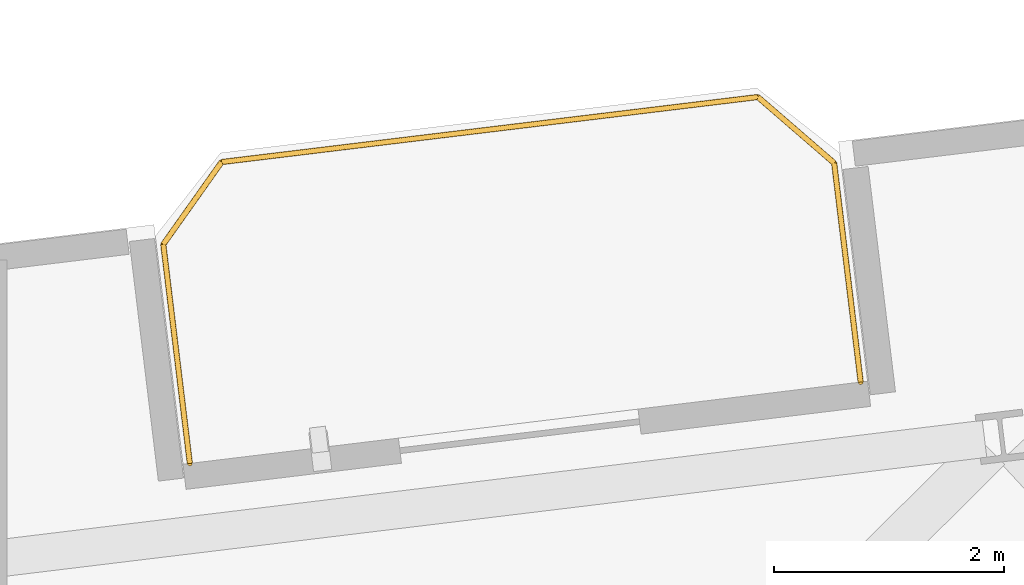
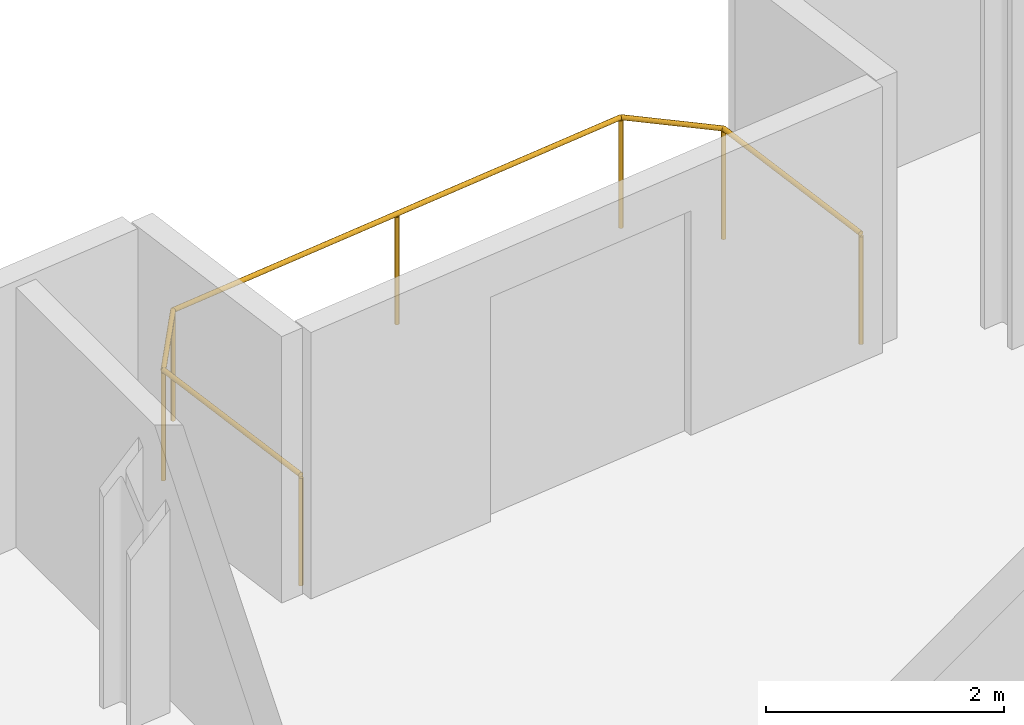
# One storey, part 24 of 24: 1 railing.
"""IFC4 building model written with IfcOpenShell, lengths in metres."""

from ifc_helpers import new_model, si_unit, direction, frame, origin, origin_2d, place, context, subcontext, project, spatial, circle, extrude, material, type_object, element, save


model = new_model("IFC4")

# Units and contexts
model_context = context("Model", 3, precision=1e-05, world=origin(), true_north=direction((0.0, 1.0)))
body_context = subcontext(model_context, "Body", "Model", "MODEL_VIEW")
ifc_project = project(units=[si_unit("LENGTHUNIT", "METRE"), si_unit("AREAUNIT", "SQUARE_METRE"), si_unit("VOLUMEUNIT", "CUBIC_METRE"), si_unit("PLANEANGLEUNIT", "RADIAN"), si_unit("MASSUNIT", "GRAM", prefix="KILO")], contexts=[model_context])

# Site, building, storey
site_placement = place(None, origin())
site = spatial("IfcSite", under=ifc_project, at=site_placement, CompositionType="ELEMENT")
building_placement = place(site_placement, origin())
building = spatial("IfcBuilding", under=site, at=building_placement, Name="Varnelok Gate Tower", CompositionType="ELEMENT")
storey_placement = place(building_placement, frame((0.0, 0.0, 167.199951171875)))
storey = spatial("IfcBuildingStorey", under=building, at=storey_placement, Name="L42", CompositionType="ELEMENT", Elevation=167.199951171875)

# Railing
ifc_material = material(Name="Low-E Laminated Double Glazing IGU", Category="glass")
railing_type = type_object("IfcRailingType", Name="RL-BALC-1150", PredefinedType="BALUSTRADE", material=ifc_material)
railing_placement = place(storey_placement, frame((48.19384765625, 46.335205078125, 0.0)))
element("IfcRailing", 1, at=railing_placement, inside=storey, type_object=railing_type, Name="L42 North Terrace Balustrade 6", PredefinedType="BALUSTRADE", context=body_context, shape_type="SweptSolid", body=[
    extrude(circle(Radius=0.02392578125, at=origin_2d()), frame((0.0, 0.0, 1.1259765625), z_axis=(-0.120293392036, 0.992738384386, 0.0), x_axis=(-0.992738384386, -0.120293392036, 0.0)), (0.0, 0.0, 1.0), 1.919921875),
    extrude(circle(Radius=0.02392578125, at=origin_2d()), frame((-0.23095703125, 1.906005859375, 1.1259765625), z_axis=(0.577971037086, 0.816057277579, 0.0), x_axis=(-0.816057277579, 0.577971037086, 0.0)), (0.0, 0.0, 1.0), 0.877685546875),
    extrude(circle(Radius=0.02392578125, at=origin_2d()), frame((0.2763671875, 2.622314453125, 1.1259765625), z_axis=(0.99273133746, 0.120351533534, 0.0), x_axis=(-0.120351533534, 0.99273133746, 0.0)), (0.0, 0.0, 1.0), 4.7001953125),
    extrude(circle(Radius=0.02392578125, at=origin_2d()), frame((4.9423828125, 3.18798828125, 1.1259765625), z_axis=(0.756303655992, -0.654220742513, 0.0), x_axis=(0.654220742513, 0.756303655992, 0.0)), (0.0, 0.0, 1.0), 0.877685546875),
    extrude(circle(Radius=0.02392578125, at=origin_2d()), frame((5.606201171875, 2.61376953125, 1.1259765625), z_axis=(0.120293392036, -0.992738384386, 0.0), x_axis=(0.992738384386, 0.120293392036, 0.0)), (0.0, 0.0, 1.0), 1.919921875),
    extrude(circle(Radius=0.02099609375, at=origin_2d()), origin(), (0.0, 0.0, 1.0), 1.101806640625),
    extrude(circle(Radius=0.02099609375, at=origin_2d()), frame((-0.23095703125, 1.906005859375, 0.0)), (0.0, 0.0, 1.0), 1.101806640625),
    extrude(circle(Radius=0.02099609375, at=origin_2d()), frame((0.2763671875, 2.622314453125, 0.0)), (0.0, 0.0, 1.0), 1.101806640625),
    extrude(circle(Radius=0.02099609375, at=origin_2d()), frame((2.609375, 2.9052734375, 0.0)), (0.0, 0.0, 1.0), 1.101806640625),
    extrude(circle(Radius=0.02099609375, at=origin_2d()), frame((4.9423828125, 3.18798828125, 0.0)), (0.0, 0.0, 1.0), 1.101806640625),
    extrude(circle(Radius=0.02099609375, at=origin_2d()), frame((5.606201171875, 2.61376953125, 0.0)), (0.0, 0.0, 1.0), 1.101806640625),
    extrude(circle(Radius=0.02099609375, at=origin_2d()), frame((5.837158203125, 0.707763671875, 0.0)), (0.0, 0.0, 1.0), 1.101806640625),
])

save(model, "model.ifc")
